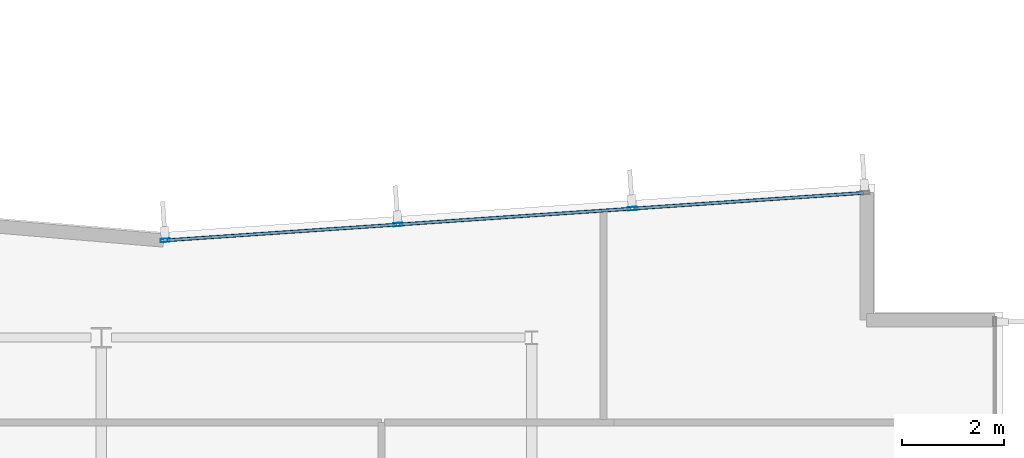
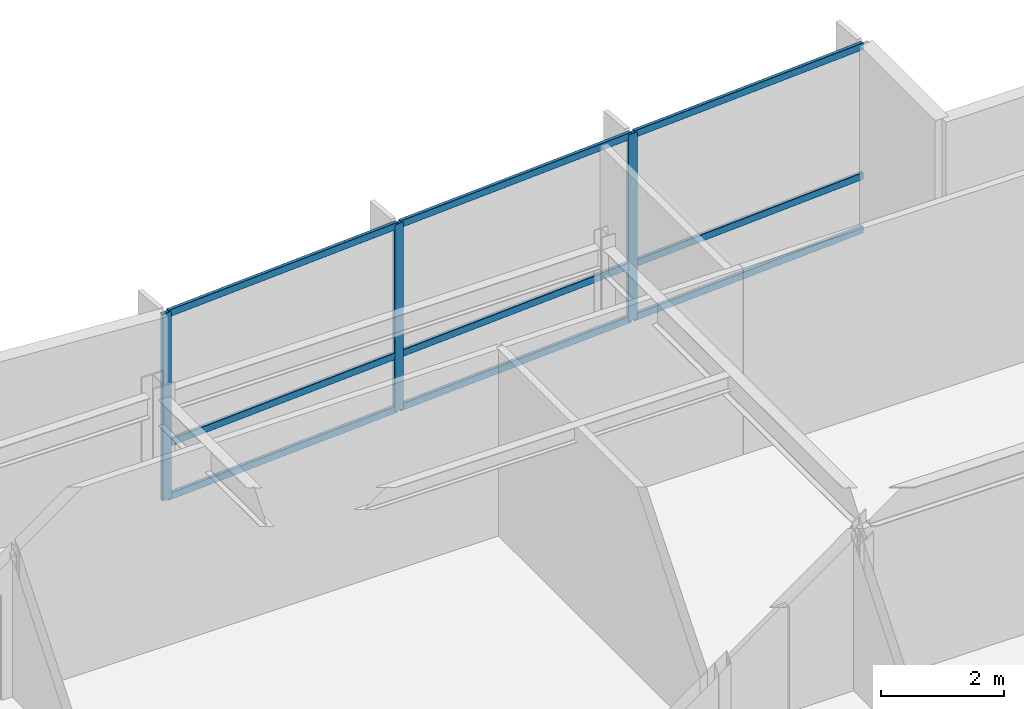
# One storey, part 7 of 17: 12 members, 1 element without a shape of its own.
"""IFC4 building model written with IfcOpenShell, lengths in metres."""

from ifc_helpers import new_model, si_unit, direction, frame, origin, origin_2d, place, context, subcontext, project, spatial, hollow_rectangle, extrude, material, layer, layer_set, material_profile, profile_set, type_object, element, aggregate, save


model = new_model("IFC4")

# Units and contexts
model_context = context("Model", 3, precision=1e-05, world=origin(), true_north=direction((0.0, 1.0)))
body_context = subcontext(model_context, "Body", "Model", "MODEL_VIEW")
ifc_project = project(units=[si_unit("LENGTHUNIT", "METRE"), si_unit("AREAUNIT", "SQUARE_METRE"), si_unit("VOLUMEUNIT", "CUBIC_METRE"), si_unit("PLANEANGLEUNIT", "RADIAN"), si_unit("MASSUNIT", "GRAM", prefix="KILO")], contexts=[model_context])

# Site, building, storey
site_placement = place(None, origin())
site = spatial("IfcSite", under=ifc_project, at=site_placement, CompositionType="ELEMENT")
building_placement = place(site_placement, origin())
building = spatial("IfcBuilding", under=site, at=building_placement, Name="Varnakote Quay Hospital", CompositionType="ELEMENT")
storey_placement = place(building_placement, frame((0.0, 0.0, 203.949951171875)))
storey = spatial("IfcBuildingStorey", under=building, at=storey_placement, Name="L50", CompositionType="ELEMENT", Elevation=203.949951171875)

# Curtain wall, members
ifc_material_1 = material(Name="Anodised aluminium 6063-T6 Bronze", Category="aluminium")
ifc_layer = layer(ifc_material_1, 0.219970703125)
ifc_layer_set = layer_set([ifc_layer], Name="Anodised aluminium 6063-T6 Bronze")
curtain_wall_type = type_object("IfcCurtainWallType", Name="CW-SYS-4", PredefinedType="NOTDEFINED", material=ifc_layer_set)
curtain_wall_placement = place(storey_placement, origin())
curtain_wall = element("IfcCurtainWall", 1, at=curtain_wall_placement, inside=storey, type_object=curtain_wall_type, Name="L50 Unitised Bronze Curtain Wall 2", PredefinedType="NOTDEFINED")
ifc_material_2 = material(Name="Anodised aluminium 6063-T6 Bronze", Category="aluminium")
ifc_material_profile_1 = material_profile(ifc_material_2, hollow_rectangle(XDim=0.06494140625, YDim=0.179931640625, WallThickness=0.00390625, InnerFilletRadius=0.00390625, OuterFilletRadius=0.008056640625, at=origin_2d()), Name="CW-MULL-180x65")
ifc_profile_set_1 = profile_set([ifc_material_profile_1], Name="Anodised aluminium 6063-T6 Bronze")
member_type_1 = type_object("IfcMemberType", Name="CW-MULL-180x65", PredefinedType="MULLION", material=ifc_profile_set_1)
member_1_placement = place(storey_placement, frame((43.96484375, 31.317626953125, 0.0), z_axis=(0.0, 0.0, 1.0), x_axis=(0.067841851077, -0.997696087615, 0.0)))
member_1 = element("IfcMember", 2, at=member_1_placement, type_object=member_type_1, Name="-4-L50-2 mullion 2", PredefinedType="MULLION", context=body_context, shape_type="SweptSolid", body=[
    extrude(hollow_rectangle(XDim=0.06494140625, YDim=0.179931640625, WallThickness=0.00390625, InnerFilletRadius=0.00390625, OuterFilletRadius=0.008056640625, at=origin_2d()), origin(), (0.0, 0.0, 1.0), 3.7099609375),
])
member_2_placement = place(storey_placement, frame((39.389892578125, 31.006591796875, 0.0), z_axis=(0.0, 0.0, 1.0), x_axis=(0.067841851077, -0.997696087615, 0.0)))
member_2 = element("IfcMember", 3, at=member_2_placement, type_object=member_type_1, Name="-4-L50-2 mullion 3", PredefinedType="MULLION", context=body_context, shape_type="SweptSolid", body=[
    extrude(hollow_rectangle(XDim=0.06494140625, YDim=0.179931640625, WallThickness=0.00390625, InnerFilletRadius=0.00390625, OuterFilletRadius=0.008056640625, at=origin_2d()), origin(), (0.0, 0.0, 1.0), 3.7099609375),
])
member_3_placement = place(storey_placement, frame((34.84716796875, 30.69775390625, 0.0), z_axis=(0.0, 0.0, 1.0), x_axis=(0.067841851077, -0.997696087615, 0.0)))
member_3 = element("IfcMember", 4, at=member_3_placement, type_object=member_type_1, Name="-4-L50-2 mullion 4", PredefinedType="MULLION", context=body_context, shape_type="SweptSolid", body=[
    extrude(hollow_rectangle(XDim=0.06494140625, YDim=0.179931640625, WallThickness=0.00390625, InnerFilletRadius=0.00390625, OuterFilletRadius=0.008056640625, at=origin_2d()), origin(), (0.0, 0.0, 1.0), 3.7099609375),
])
ifc_material_3 = material(Name="Anodised aluminium 6063-T6 Bronze", Category="aluminium")
ifc_material_profile_2 = material_profile(ifc_material_3, hollow_rectangle(XDim=0.06494140625, YDim=0.139892578125, WallThickness=0.00390625, InnerFilletRadius=0.00390625, OuterFilletRadius=0.007568359375, at=origin_2d()), Name="CW-TRAN-140x65")
ifc_profile_set_2 = profile_set([ifc_material_profile_2], Name="Anodised aluminium 6063-T6 Bronze")
member_type_2 = type_object("IfcMemberType", Name="CW-TRAN-140x65", PredefinedType="USERDEFINED", material=ifc_profile_set_2)
member_4_placement = place(storey_placement, frame((48.47509765625, 31.62451171875, 0.032470703125), z_axis=(-0.997692996523, -0.067887294022, 0.0), x_axis=(0.067887294022, -0.997692996523, 0.0)))
member_4 = element("IfcMember", 5, at=member_4_placement, type_object=member_type_2, Name="-4-L50-2 transom 1.1", ObjectType="TRANSOM", PredefinedType="USERDEFINED", context=body_context, shape_type="SweptSolid", body=[
    extrude(hollow_rectangle(XDim=0.06494140625, YDim=0.139892578125, WallThickness=0.00390625, InnerFilletRadius=0.00390625, OuterFilletRadius=0.007568359375, at=origin_2d()), origin(), (0.0, 0.0, 1.0), 4.488037109375),
])
member_5_placement = place(storey_placement, frame((48.47509765625, 31.62451171875, 1.10009765625), z_axis=(-0.997692996523, -0.067887294022, 0.0), x_axis=(0.067887294022, -0.997692996523, 0.0)))
member_5 = element("IfcMember", 6, at=member_5_placement, type_object=member_type_2, Name="-4-L50-2 transom 1.2", ObjectType="TRANSOM", PredefinedType="USERDEFINED", context=body_context, shape_type="SweptSolid", body=[
    extrude(hollow_rectangle(XDim=0.06494140625, YDim=0.139892578125, WallThickness=0.00390625, InnerFilletRadius=0.00390625, OuterFilletRadius=0.007568359375, at=origin_2d()), origin(), (0.0, 0.0, 1.0), 4.488037109375),
])
member_6_placement = place(storey_placement, frame((48.47509765625, 31.62451171875, 3.677490234375), z_axis=(-0.997692996523, -0.067887294022, 0.0), x_axis=(0.067887294022, -0.997692996523, 0.0)))
member_6 = element("IfcMember", 7, at=member_6_placement, type_object=member_type_2, Name="-4-L50-2 transom 1.3", ObjectType="TRANSOM", PredefinedType="USERDEFINED", context=body_context, shape_type="SweptSolid", body=[
    extrude(hollow_rectangle(XDim=0.06494140625, YDim=0.139892578125, WallThickness=0.00390625, InnerFilletRadius=0.00390625, OuterFilletRadius=0.007568359375, at=origin_2d()), origin(), (0.0, 0.0, 1.0), 4.488037109375),
])
member_7_placement = place(storey_placement, frame((43.932373046875, 31.3154296875, 0.032470703125), z_axis=(-0.997696835235, -0.06783085553, 0.0), x_axis=(0.06783085553, -0.997696835235, 0.0)))
member_7 = element("IfcMember", 8, at=member_7_placement, type_object=member_type_2, Name="-4-L50-2 transom 2.1", ObjectType="TRANSOM", PredefinedType="USERDEFINED", context=body_context, shape_type="SweptSolid", body=[
    extrude(hollow_rectangle(XDim=0.06494140625, YDim=0.139892578125, WallThickness=0.00390625, InnerFilletRadius=0.00390625, OuterFilletRadius=0.007568359375, at=origin_2d()), origin(), (0.0, 0.0, 1.0), 4.520751953125),
])
member_8_placement = place(storey_placement, frame((43.932373046875, 31.3154296875, 1.10009765625), z_axis=(-0.997696835235, -0.06783085553, 0.0), x_axis=(0.06783085553, -0.997696835235, 0.0)))
member_8 = element("IfcMember", 9, at=member_8_placement, type_object=member_type_2, Name="-4-L50-2 transom 2.2", ObjectType="TRANSOM", PredefinedType="USERDEFINED", context=body_context, shape_type="SweptSolid", body=[
    extrude(hollow_rectangle(XDim=0.06494140625, YDim=0.139892578125, WallThickness=0.00390625, InnerFilletRadius=0.00390625, OuterFilletRadius=0.007568359375, at=origin_2d()), origin(), (0.0, 0.0, 1.0), 4.520751953125),
])
member_9_placement = place(storey_placement, frame((43.932373046875, 31.3154296875, 3.677490234375), z_axis=(-0.997696835235, -0.06783085553, 0.0), x_axis=(0.06783085553, -0.997696835235, 0.0)))
member_9 = element("IfcMember", 10, at=member_9_placement, type_object=member_type_2, Name="-4-L50-2 transom 2.3", ObjectType="TRANSOM", PredefinedType="USERDEFINED", context=body_context, shape_type="SweptSolid", body=[
    extrude(hollow_rectangle(XDim=0.06494140625, YDim=0.139892578125, WallThickness=0.00390625, InnerFilletRadius=0.00390625, OuterFilletRadius=0.007568359375, at=origin_2d()), origin(), (0.0, 0.0, 1.0), 4.520751953125),
])
member_10_placement = place(storey_placement, frame((39.357421875, 31.00439453125, 0.032470703125), z_axis=(-0.997696679404, -0.06783314755, 0.0), x_axis=(0.06783314755, -0.997696679404, 0.0)))
member_10 = element("IfcMember", 11, at=member_10_placement, type_object=member_type_2, Name="-4-L50-2 transom 3.1", ObjectType="TRANSOM", PredefinedType="USERDEFINED", context=body_context, shape_type="SweptSolid", body=[
    extrude(hollow_rectangle(XDim=0.06494140625, YDim=0.139892578125, WallThickness=0.00390625, InnerFilletRadius=0.00390625, OuterFilletRadius=0.007568359375, at=origin_2d()), origin(), (0.0, 0.0, 1.0), 4.488037109375),
])
member_11_placement = place(storey_placement, frame((39.357421875, 31.00439453125, 1.10009765625), z_axis=(-0.997696679404, -0.06783314755, 0.0), x_axis=(0.06783314755, -0.997696679404, 0.0)))
member_11 = element("IfcMember", 12, at=member_11_placement, type_object=member_type_2, Name="-4-L50-2 transom 3.2", ObjectType="TRANSOM", PredefinedType="USERDEFINED", context=body_context, shape_type="SweptSolid", body=[
    extrude(hollow_rectangle(XDim=0.06494140625, YDim=0.139892578125, WallThickness=0.00390625, InnerFilletRadius=0.00390625, OuterFilletRadius=0.007568359375, at=origin_2d()), origin(), (0.0, 0.0, 1.0), 4.488037109375),
])
member_12_placement = place(storey_placement, frame((39.357421875, 31.00439453125, 3.677490234375), z_axis=(-0.997696679404, -0.06783314755, 0.0), x_axis=(0.06783314755, -0.997696679404, 0.0)))
member_12 = element("IfcMember", 13, at=member_12_placement, type_object=member_type_2, Name="-4-L50-2 transom 3.3", ObjectType="TRANSOM", PredefinedType="USERDEFINED", context=body_context, shape_type="SweptSolid", body=[
    extrude(hollow_rectangle(XDim=0.06494140625, YDim=0.139892578125, WallThickness=0.00390625, InnerFilletRadius=0.00390625, OuterFilletRadius=0.007568359375, at=origin_2d()), origin(), (0.0, 0.0, 1.0), 4.488037109375),
])
aggregate(curtain_wall, [member_1, member_2, member_3, member_4, member_5, member_6, member_7, member_8, member_9, member_10, member_11, member_12])

save(model, "model.ifc")
